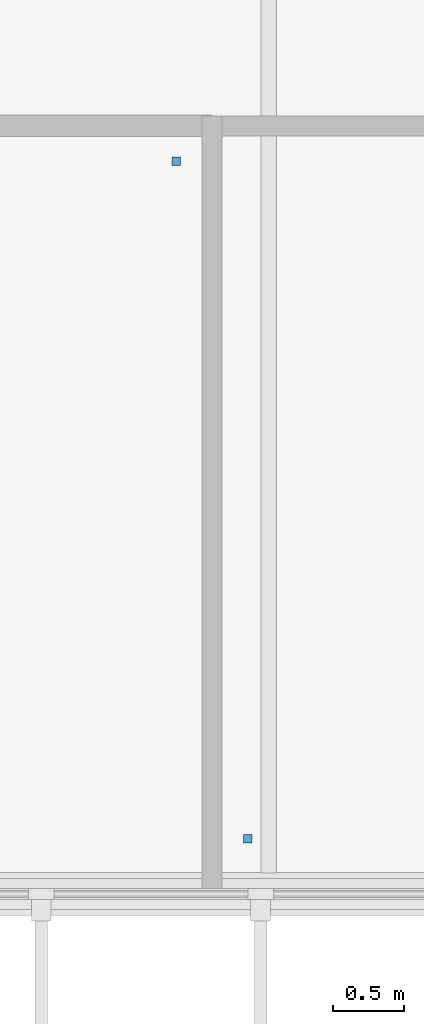
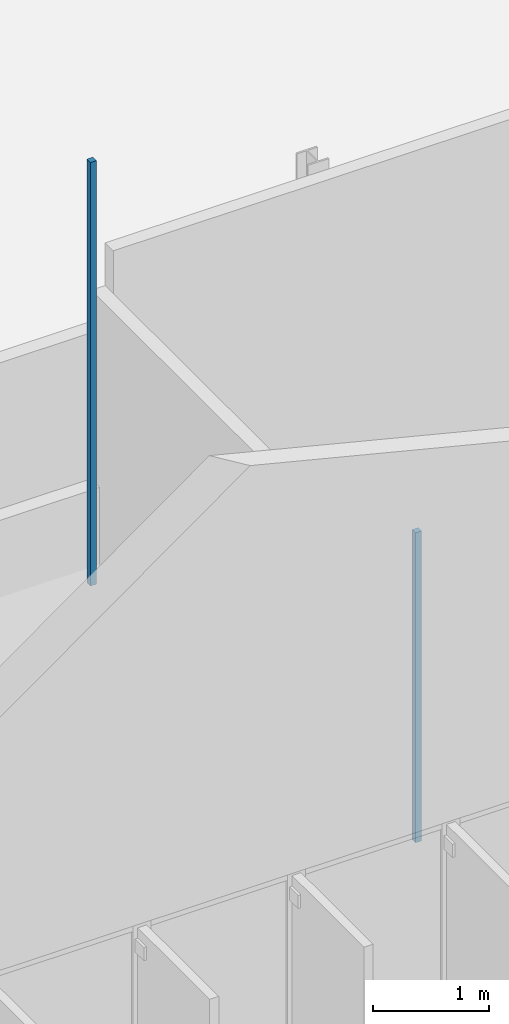
# One storey, part 88 of 110: 2 discrete accessories.
"""IFC4 building model written with IfcOpenShell, lengths in metres."""

from ifc_helpers import new_model, si_unit, direction, frame, origin, place, context, subcontext, project, spatial, polyline, outline, extrude, material, type_object, element, save


model = new_model("IFC4")

# Units and contexts
model_context = context("Model", 3, precision=1e-05, world=origin(), true_north=direction((0.0, 1.0)))
body_context = subcontext(model_context, "Body", "Model", "MODEL_VIEW")
ifc_project = project(units=[si_unit("LENGTHUNIT", "METRE"), si_unit("AREAUNIT", "SQUARE_METRE"), si_unit("VOLUMEUNIT", "CUBIC_METRE"), si_unit("PLANEANGLEUNIT", "RADIAN"), si_unit("MASSUNIT", "GRAM", prefix="KILO")], contexts=[model_context])

# Site, building, storey
site_placement = place(None, origin())
site = spatial("IfcSite", under=ifc_project, at=site_placement, CompositionType="ELEMENT")
building_placement = place(site_placement, origin())
building = spatial("IfcBuilding", under=site, at=building_placement, Name="Dunescarp Central Library", CompositionType="ELEMENT")
storey_placement = place(building_placement, frame((0.0, 0.0, 9.60009765625)))
storey = spatial("IfcBuildingStorey", under=building, at=storey_placement, Name="L02", CompositionType="ELEMENT", Elevation=9.60009765625)

# Discrete accessories
ifc_material = material(Name="Stainless steel Grade 316L", Category="steel")
discrete_accessory_type = type_object("IfcDiscreteAccessoryType", Name="ARC-ACC-BRK", PredefinedType="BRACKET", material=ifc_material)
discrete_accessory_1_placement = place(storey_placement, frame((0.0, 0.0, 3.059814453125)))
element("IfcDiscreteAccessory", 1, at=discrete_accessory_1_placement, inside=storey, type_object=discrete_accessory_type, Name="L02 ceiling hanger CLG-L02-151-H1", PredefinedType="BRACKET", context=body_context, shape_type="SweptSolid", body=[
    extrude(outline(polyline([(155.02001953125, 5.159912109375), (155.080078125, 5.159912109375), (155.080078125, 5.219970703125), (155.02001953125, 5.219970703125), (155.02001953125, 5.159912109375)])), origin(), (0.0, 0.0, 1.0), 3.273193359375),
])
discrete_accessory_2_placement = place(storey_placement, frame((0.0, 0.0, 3.059814453125)))
element("IfcDiscreteAccessory", 2, at=discrete_accessory_2_placement, inside=storey, type_object=discrete_accessory_type, Name="L02 ceiling hanger CLG-L02-152-H2", PredefinedType="BRACKET", context=body_context, shape_type="SweptSolid", body=[
    extrude(outline(polyline([(154.52001953125, 9.919921875), (154.580078125, 9.919921875), (154.580078125, 9.97998046875), (154.52001953125, 9.97998046875), (154.52001953125, 9.919921875)])), origin(), (0.0, 0.0, 1.0), 4.47314453125),
])

save(model, "model.ifc")
